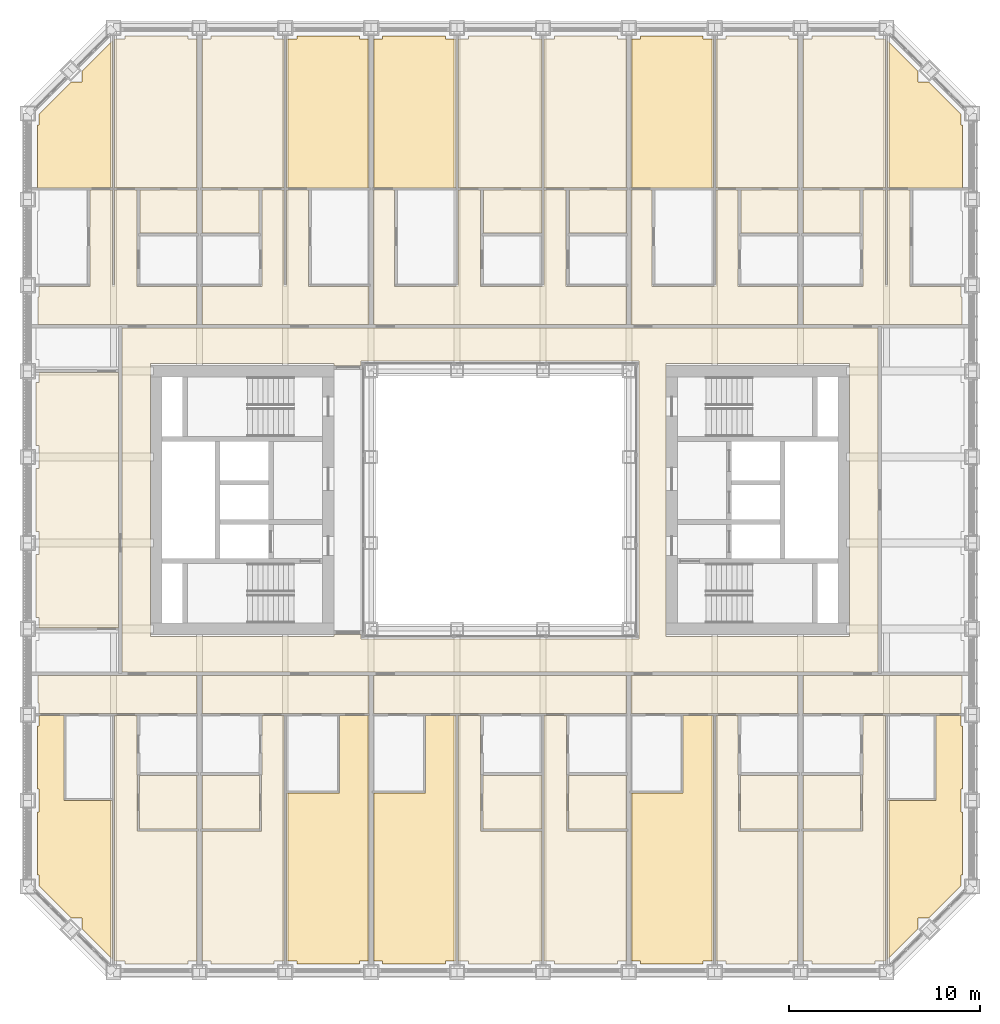
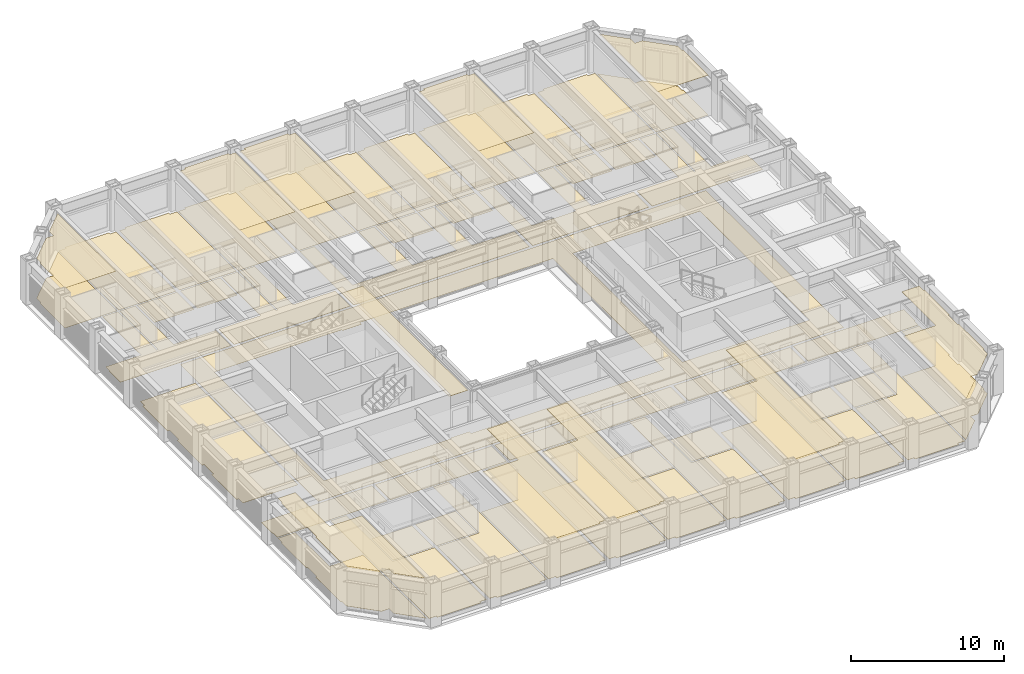
# One storey, part 19 of 21: 3 coverings.
"""IFC4 building model written with IfcOpenShell, lengths in metres."""

import ifcopenshell
import ifcopenshell.guid

model = None  # the IFC model being written
_history = None  # IfcOwnerHistory: only IFC2X3 demands one
_inside = {}  # id of a spatial element -> (the spatial element, [elements in it])
_under = {}  # id of a project, library or spatial element -> (it, [spatial elements below it])
_declared = {}  # id of a project -> (the project, [libraries it declares])
_typed = {}  # id of a type object -> (the type object, [elements of that type])
_made_of = {}  # id of a material, layer set ... -> (it, [elements and type objects made of it])


def new_model(schema):
    """Start an empty IFC model of exactly this schema.

    Asked for "IFC4X3", IfcOpenShell would pick the latest addendum, in which some entities
    have other attributes; the version numbers below select the first issue.
    IFC2X3 requires an IfcOwnerHistory on every rooted entity: one is made here for all.
    """
    global model, _history
    if schema == "IFC4X3":
        model = ifcopenshell.file(schema_version=(4, 3, 0, 0))
    else:
        model = ifcopenshell.file(schema=schema)
    _inside.clear()
    _under.clear()
    _declared.clear()
    _typed.clear()
    _made_of.clear()
    _history = None
    if model.schema == "IFC2X3":
        org = make("IfcOrganization", Name="unknown")
        user = make(
            "IfcPersonAndOrganization",
            ThePerson=make("IfcPerson", FamilyName="unknown"),
            TheOrganization=org,
        )
        app = make(
            "IfcApplication",
            ApplicationDeveloper=org,
            Version="unknown",
            ApplicationFullName="unknown",
            ApplicationIdentifier="unknown",
        )
        _history = make(
            "IfcOwnerHistory",
            OwningUser=user,
            OwningApplication=app,
            ChangeAction="ADDED",
            CreationDate=0,
        )
    return model


def make(cls, **values):
    """One entity of the class cls with the attributes given. An attribute that is None is left unset."""
    return model.create_entity(
        cls, **{name: value for name, value in values.items() if value is not None}
    )


def rooted(cls, **values):
    """An entity with a GlobalId (a new one), such as an element, a storey or a relation."""
    return make(cls, GlobalId=ifcopenshell.guid.new(), OwnerHistory=_history, **values)


def si_unit(unit_type, name, prefix=None):
    """IfcSIUnit, for example si_unit("LENGTHUNIT", "METRE", prefix="MILLI")."""
    return make("IfcSIUnit", UnitType=unit_type, Prefix=prefix, Name=name)


def assignment(units):
    """IfcUnitAssignment: the units of a project."""
    return None if units is None else make("IfcUnitAssignment", Units=units)


def point(xyz):
    """IfcCartesianPoint."""
    return None if xyz is None else make("IfcCartesianPoint", Coordinates=xyz)


def direction(xyz):
    """IfcDirection."""
    return None if xyz is None else make("IfcDirection", DirectionRatios=xyz)


def frame(location, z_axis=None, x_axis=None):
    """IfcAxis2Placement3D, a coordinate frame: its origin and axes. An axis left out is left unset."""
    return make(
        "IfcAxis2Placement3D",
        Location=point(location),
        Axis=direction(z_axis),
        RefDirection=direction(x_axis),
    )


def origin():
    """The frame at (0, 0, 0) with its axes left unset."""
    return frame((0.0, 0.0, 0.0))


def place(relative_to, where):
    """IfcLocalPlacement: puts the frame where relative to a parent placement (None: the world)."""
    return make(
        "IfcLocalPlacement", PlacementRelTo=relative_to, RelativePlacement=where
    )


def context(
    kind, dimensions, precision=None, world=None, true_north=None, identifier=None
):
    """IfcGeometricRepresentationContext, for example the 3D "Model" context."""
    return make(
        "IfcGeometricRepresentationContext",
        ContextIdentifier=identifier,
        ContextType=kind,
        CoordinateSpaceDimension=dimensions,
        Precision=precision,
        WorldCoordinateSystem=world,
        TrueNorth=true_north,
    )


def subcontext(parent, identifier, kind, view, scale=None):
    """IfcGeometricRepresentationSubContext, for example "Body" below "Model"."""
    return make(
        "IfcGeometricRepresentationSubContext",
        ContextIdentifier=identifier,
        ContextType=kind,
        ParentContext=parent,
        TargetScale=scale,
        TargetView=view,
    )


def project(units=None, contexts=None):
    """IfcProject with its units and contexts."""
    return rooted(
        "IfcProject",
        Name="project",
        RepresentationContexts=contexts,
        UnitsInContext=assignment(units),
    )


def spatial(cls, under=None, at=None, **own):
    """A site, building, storey or space (cls), placed at a placement, below another one or the project."""
    s = rooted(cls, ObjectPlacement=at, **own)
    if under is not None:
        _under.setdefault(under.id(), (under, []))[1].append(s)
    return s


def point_list(points):
    """IfcCartesianPointList2D or 3D."""
    cls = (
        "IfcCartesianPointList2D" if len(points[0]) == 2 else "IfcCartesianPointList3D"
    )
    return make(cls, CoordList=points)


def line(*indices):
    """IfcLineIndex: a straight run through numbered points of an indexed curve."""
    return model.create_entity("IfcLineIndex", indices)


def indexed_curve(points, segments=None, self_intersect=None):
    """IfcIndexedPolyCurve: lines and arcs through numbered points (the first is 1)."""
    return make(
        "IfcIndexedPolyCurve",
        Points=point_list(points),
        Segments=segments,
        SelfIntersect=self_intersect,
    )


def outline(outer, holes=None, kind="AREA"):
    """IfcArbitraryClosedProfileDef: a profile drawn as a closed curve; with holes, ...WithVoids."""
    if holes is None:
        return make("IfcArbitraryClosedProfileDef", ProfileType=kind, OuterCurve=outer)
    return make(
        "IfcArbitraryProfileDefWithVoids",
        ProfileType=kind,
        OuterCurve=outer,
        InnerCurves=holes,
    )


def extrude(swept, where, along, depth):
    """IfcExtrudedAreaSolid: the profile swept, set in the frame where, extruded along a direction by depth."""
    return make(
        "IfcExtrudedAreaSolid",
        SweptArea=swept,
        Position=where,
        ExtrudedDirection=direction(along),
        Depth=depth,
    )


def shape(context_of_items, identifier, shape_type, items):
    """IfcShapeRepresentation: the items that make up one representation, for example the "Body"."""
    return make(
        "IfcShapeRepresentation",
        ContextOfItems=context_of_items,
        RepresentationIdentifier=identifier,
        RepresentationType=shape_type,
        Items=items,
    )


def material(Name=None, Category=None):
    """IfcMaterial."""
    return make("IfcMaterial", Name=Name, Category=Category)


def layer(
    of_material, thickness, ventilated=None, Name=None, Category=None, Priority=None
):
    """IfcMaterialLayer: one layer of a wall or slab, of a material (None: an air gap)."""
    return make(
        "IfcMaterialLayer",
        Material=of_material,
        LayerThickness=thickness,
        IsVentilated=ventilated,
        Name=Name,
        Category=Category,
        Priority=Priority,
    )


def layer_set(layers, Name=None):
    """IfcMaterialLayerSet."""
    return make("IfcMaterialLayerSet", MaterialLayers=layers, LayerSetName=Name)


def made_of(thing, what):
    """Note that an element or type object is made of a material, layer set ...; save() writes the relation."""
    if what is not None:
        _made_of.setdefault(what.id(), (what, []))[1].append(thing)
    return thing


def type_object(cls, material=None, **own):
    """A type object (cls), such as IfcWallType, which elements share."""
    return made_of(rooted(cls, **own), material)


def element(
    cls,
    number,
    at=None,
    inside=None,
    cuts=None,
    type_object=None,
    material=None,
    context=None,
    identifier="Body",
    shape_type=None,
    held_by="IfcProductDefinitionShape",
    body=None,
    shapes=None,
    **own,
):
    """One element of the class cls, such as IfcWall. Its Tag is "e" and its number.

    at: its placement. inside: the storey or other place that contains it. cuts: it is an
    opening in that element (IfcRelVoidsElement). A single representation is given by context,
    identifier, shape_type and body (its items); several are given by shapes. held_by: the class
    of the entity that holds the representations. save() writes the other relations.
    """
    e = rooted(cls, Tag="e%d" % number, ObjectPlacement=at, **own)
    if body is not None:
        shapes = [shape(context, identifier, shape_type, body)]
    if shapes is not None:
        e.Representation = make(held_by, Representations=shapes)
    if inside is not None:
        _inside.setdefault(inside.id(), (inside, []))[1].append(e)
    if cuts is not None:
        rooted(
            "IfcRelVoidsElement", RelatingBuildingElement=cuts, RelatedOpeningElement=e
        )
    if type_object is not None:
        _typed.setdefault(type_object.id(), (type_object, []))[1].append(e)
    return made_of(e, material)


def aggregate(whole, parts):
    """IfcRelAggregates: a whole, such as a stair, and the parts it consists of."""
    return rooted("IfcRelAggregates", RelatingObject=whole, RelatedObjects=parts)


def save(model, path):
    """Write the relations noted so far, then the file.

    IfcRelAggregates (storeys below a building ...), IfcRelContainedInSpatialStructure (elements
    in a storey), IfcRelDefinesByType, IfcRelAssociatesMaterial and IfcRelDeclares: one each for
    every whole, place, type object, material and project.
    """
    for whole, parts in _under.values():
        aggregate(whole, parts)
    for where, things in _inside.values():
        rooted(
            "IfcRelContainedInSpatialStructure",
            RelatedElements=things,
            RelatingStructure=where,
        )
    for kind, things in _typed.values():
        rooted("IfcRelDefinesByType", RelatedObjects=things, RelatingType=kind)
    for what, things in _made_of.values():
        rooted("IfcRelAssociatesMaterial", RelatedObjects=things, RelatingMaterial=what)
    for by, libraries in _declared.values():
        rooted("IfcRelDeclares", RelatingContext=by, RelatedDefinitions=libraries)
    model.write(path)


model = new_model("IFC4")

# Units and contexts
model_context = context("Model", 3, precision=1e-05, world=origin(), true_north=direction((0.0, 1.0)))
body_context = subcontext(model_context, "Body", "Model", "MODEL_VIEW")
ifc_project = project(units=[si_unit("LENGTHUNIT", "METRE"), si_unit("AREAUNIT", "SQUARE_METRE"), si_unit("VOLUMEUNIT", "CUBIC_METRE"), si_unit("PLANEANGLEUNIT", "RADIAN"), si_unit("MASSUNIT", "GRAM", prefix="KILO")], contexts=[model_context])

# Site, building, storey
site_placement = place(None, origin())
site = spatial("IfcSite", under=ifc_project, at=site_placement, CompositionType="ELEMENT")
building_placement = place(site_placement, origin())
building = spatial("IfcBuilding", under=site, at=building_placement, Name="Msasa Ring Tower", CompositionType="ELEMENT")
storey_placement = place(building_placement, frame((0.0, 0.0, 54.5)))
storey = spatial("IfcBuildingStorey", under=building, at=storey_placement, Name="L13", CompositionType="ELEMENT", Elevation=54.5)

# Coverings
ifc_material_1 = material(Name="Gypsum plasterboard on a steel suspension grid", Category="steel")
ifc_layer_1 = layer(ifc_material_1, 0.014892578125)
ifc_layer_set_1 = layer_set([ifc_layer_1], Name="C1 SUSPENDED PLASTERBOARD CEILING 15")
covering_type_1 = type_object("IfcCoveringType", Name="C1 SUSPENDED PLASTERBOARD CEILING 15", PredefinedType="CEILING", material=ifc_layer_set_1)
covering_1_placement = place(storey_placement, frame((0.0, 0.0, 3.175048828125)))
element("IfcCovering", 1, at=covering_1_placement, inside=storey, type_object=covering_type_1, Name="Suspended Plasterboard Ceiling 15 public rooms L13", PredefinedType="CEILING", context=body_context, shape_type="SweptSolid", body=[
    extrude(outline(indexed_curve([(-21.8994140625, -22.46337890625), (-21.8994140625, -21.8994140625), (-22.46337890625, -21.8994140625), (-24.1494140625, -20.21337890625), (-24.1494140625, -19.6494140625), (-24.239501953125, -19.6494140625), (-24.239501953125, -16.3505859375), (-24.1494140625, -16.3505859375), (-24.1494140625, -15.1494140625), (-24.239501953125, -15.1494140625), (-24.239501953125, -11.8505859375), (-24.1494140625, -11.8505859375), (-24.1494140625, -11.300537109375), (-22.8505859375, -11.300537109375), (-22.8505859375, -15.74267578125), (-20.404296875, -15.74267578125), (-20.404296875, -23.95849609375)], segments=[line(1, 2, 3, 4, 5, 6, 7, 8, 9, 10, 11, 12, 13, 14, 15, 16, 17, 1)], self_intersect=False)), origin(), (0.0, 0.0, 1.0), 0.014892578125),
    extrude(outline(indexed_curve([(-24.239501953125, 16.35546875), (-24.239501953125, 19.6494140625), (-24.1494140625, 19.6494140625), (-24.1494140625, 20.21337890625), (-22.46337890625, 21.8994140625), (-21.8994140625, 21.8994140625), (-21.8994140625, 22.46337890625), (-20.404296875, 23.95849609375), (-20.404296875, 16.35546875)], segments=[line(1, 2, 3, 4, 5, 6, 7, 8, 9, 1)], self_intersect=False)), origin(), (0.0, 0.0, 1.0), 0.014892578125),
    extrude(outline(indexed_curve([(-8.3994140625, -11.300537109375), (-6.904296875, -11.300537109375), (-6.904296875, -24.1494140625), (-7.3505859375, -24.1494140625), (-7.3505859375, -24.299560546875), (-10.6494140625, -24.299560546875), (-10.6494140625, -24.1494140625), (-11.095703125, -24.1494140625), (-11.095703125, -15.3505859375), (-8.3994140625, -15.3505859375)], segments=[line(1, 2, 3, 4, 5, 6, 7, 8, 9, 10, 1)], self_intersect=False)), origin(), (0.0, 0.0, 1.0), 0.014892578125),
    extrude(outline(indexed_curve([(-11.095703125, 16.35546875), (-11.095703125, 24.1494140625), (-10.6494140625, 24.1494140625), (-10.6494140625, 24.299560546875), (-7.3505859375, 24.299560546875), (-7.3505859375, 24.1494140625), (-6.904296875, 24.1494140625), (-6.904296875, 16.35546875)], segments=[line(1, 2, 3, 4, 5, 6, 7, 8, 1)], self_intersect=False)), origin(), (0.0, 0.0, 1.0), 0.014892578125),
    extrude(outline(indexed_curve([(-8.699462890625, -6.849609375), (-8.699462890625, 6.849609375), (-7.280029296875, 6.849609375), (-7.280029296875, -6.849609375)], segments=[line(1, 2, 3, 4, 1)], self_intersect=False)), origin(), (0.0, 0.0, 1.0), 0.014892578125),
    extrude(outline(indexed_curve([(-2.404296875, -11.300537109375), (-2.404296875, -24.1494140625), (-2.8505859375, -24.1494140625), (-2.8505859375, -24.299560546875), (-6.1494140625, -24.299560546875), (-6.1494140625, -24.1494140625), (-6.595703125, -24.1494140625), (-6.595703125, -15.3505859375), (-3.8994140625, -15.3505859375), (-3.8994140625, -11.300537109375)], segments=[line(1, 2, 3, 4, 5, 6, 7, 8, 9, 10, 1)], self_intersect=False)), origin(), (0.0, 0.0, 1.0), 0.014892578125),
    extrude(outline(indexed_curve([(-6.595703125, 16.35546875), (-6.595703125, 24.1494140625), (-6.1494140625, 24.1494140625), (-6.1494140625, 24.299560546875), (-2.8505859375, 24.299560546875), (-2.8505859375, 24.1494140625), (-2.404296875, 24.1494140625), (-2.404296875, 16.35546875)], segments=[line(1, 2, 3, 4, 5, 6, 7, 8, 1)], self_intersect=False)), origin(), (0.0, 0.0, 1.0), 0.014892578125),
    extrude(outline(indexed_curve([(11.095703125, -11.300537109375), (11.095703125, -24.1494140625), (10.6494140625, -24.1494140625), (10.6494140625, -24.299560546875), (7.3505859375, -24.299560546875), (7.3505859375, -24.1494140625), (6.904296875, -24.1494140625), (6.904296875, -15.3505859375), (9.6005859375, -15.3505859375), (9.6005859375, -11.300537109375)], segments=[line(1, 2, 3, 4, 5, 6, 7, 8, 9, 10, 1)], self_intersect=False)), origin(), (0.0, 0.0, 1.0), 0.014892578125),
    extrude(outline(indexed_curve([(6.904296875, 16.35546875), (6.904296875, 24.1494140625), (7.3505859375, 24.1494140625), (7.3505859375, 24.299560546875), (10.6494140625, 24.299560546875), (10.6494140625, 24.1494140625), (11.095703125, 24.1494140625), (11.095703125, 16.35546875)], segments=[line(1, 2, 3, 4, 5, 6, 7, 8, 1)], self_intersect=False)), origin(), (0.0, 0.0, 1.0), 0.014892578125),
    extrude(outline(indexed_curve([(22.8505859375, -11.300537109375), (24.1494140625, -11.300537109375), (24.1494140625, -11.8505859375), (24.239501953125, -11.8505859375), (24.239501953125, -15.1494140625), (24.1494140625, -15.1494140625), (24.1494140625, -16.3505859375), (24.239501953125, -16.3505859375), (24.239501953125, -19.6494140625), (24.1494140625, -19.6494140625), (24.1494140625, -20.21337890625), (22.46337890625, -21.8994140625), (21.8994140625, -21.8994140625), (21.8994140625, -22.46337890625), (20.404296875, -23.95849609375), (20.404296875, -15.74267578125), (22.8505859375, -15.74267578125)], segments=[line(1, 2, 3, 4, 5, 6, 7, 8, 9, 10, 11, 12, 13, 14, 15, 16, 17, 1)], self_intersect=False)), origin(), (0.0, 0.0, 1.0), 0.014892578125),
    extrude(outline(indexed_curve([(20.404296875, 16.35546875), (20.404296875, 23.95849609375), (21.8994140625, 22.46337890625), (21.8994140625, 21.8994140625), (22.46337890625, 21.8994140625), (24.1494140625, 20.21337890625), (24.1494140625, 19.6494140625), (24.239501953125, 19.6494140625), (24.239501953125, 16.35546875)], segments=[line(1, 2, 3, 4, 5, 6, 7, 8, 9, 1)], self_intersect=False)), origin(), (0.0, 0.0, 1.0), 0.014892578125),
])
ifc_material_2 = material(Name="Wool-blend carpet on felt underlay", Category="textile")
ifc_layer_2 = layer(ifc_material_2, 0.011962890625)
ifc_layer_set_2 = layer_set([ifc_layer_2], Name="F2 CARPET ON UNDERLAY 12")
covering_type_2 = type_object("IfcCoveringType", Name="F2 CARPET ON UNDERLAY 12", PredefinedType="FLOORING", material=ifc_layer_set_2)
covering_2_placement = place(storey_placement, origin())
element("IfcCovering", 2, at=covering_2_placement, inside=storey, type_object=covering_type_2, Name="Carpet On Underlay 12 L13", PredefinedType="FLOORING", context=body_context, shape_type="SweptSolid", body=[
    extrude(outline(indexed_curve([(-24.239501953125, -16.3505859375), (-24.1494140625, -16.3505859375), (-24.1494140625, -15.1494140625), (-24.239501953125, -15.1494140625), (-24.239501953125, -11.8505859375), (-24.1494140625, -11.8505859375), (-24.1494140625, -11.300537109375), (-22.8505859375, -11.300537109375), (-22.8505859375, -15.74267578125), (-20.310546875, -15.74267578125), (-20.310546875, -24.052490234375), (-21.8994140625, -22.46337890625), (-21.8994140625, -21.8994140625), (-22.46337890625, -21.8994140625), (-24.1494140625, -20.21337890625), (-24.1494140625, -19.6494140625), (-24.239501953125, -19.6494140625)], segments=[line(1, 2, 3, 4, 5, 6, 7, 8, 9, 10, 11, 12, 13, 14, 15, 16, 17, 1)], self_intersect=False)), origin(), (0.0, 0.0, 1.0), 0.011962890625),
    extrude(outline(indexed_curve([(-22.46337890625, 21.8994140625), (-21.8994140625, 21.8994140625), (-21.8994140625, 22.46337890625), (-20.310546875, 24.052490234375), (-20.310546875, 16.35546875), (-24.239501953125, 16.35546875), (-24.239501953125, 19.6494140625), (-24.1494140625, 19.6494140625), (-24.1494140625, 20.21337890625)], segments=[line(1, 2, 3, 4, 5, 6, 7, 8, 9, 1)], self_intersect=False)), origin(), (0.0, 0.0, 1.0), 0.011962890625),
    extrude(outline(indexed_curve([(-19.799560546875, -8.99951171875), (-19.799560546875, 8.99951171875), (19.799560546875, 8.99951171875), (19.799560546875, -8.99951171875)], segments=[line(1, 2, 3, 4, 1)], self_intersect=False), holes=[indexed_curve([(18.300537109375, -7.150390625), (18.300537109375, 7.150390625), (8.699462890625, 7.150390625), (8.699462890625, -7.150390625)], segments=[line(1, 2, 3, 4, 1)], self_intersect=False), indexed_curve([(-8.699462890625, 7.150390625), (-18.300537109375, 7.150390625), (-18.300537109375, -7.150390625), (-8.699462890625, -7.150390625), (-8.699462890625, -7.050537109375), (-7.280029296875, -7.050537109375), (-7.275390625, -7.275390625), (-7.22998046875, -7.280029296875), (7.275390625, -7.275390625), (7.275390625, 7.275390625), (-7.22998046875, 7.280029296875), (-7.275390625, 7.275390625), (-7.280029296875, 7.050537109375), (-8.699462890625, 7.050537109375)], segments=[line(1, 2, 3, 4, 5, 6, 7, 8, 9, 10, 11, 12, 13, 14, 1)], self_intersect=False)]), origin(), (0.0, 0.0, 1.0), 0.011962890625),
    extrude(outline(indexed_curve([(-15.87548828125, -14.430419921875), (-15.87548828125, -17.2353515625), (-18.8994140625, -17.2353515625), (-18.8994140625, -14.430419921875)], segments=[line(1, 2, 3, 4, 1)], self_intersect=False)), origin(), (0.0, 0.0, 1.0), 0.011962890625),
    extrude(outline(indexed_curve([(-18.869384765625, 13.98046875), (-18.869384765625, 16.244384765625), (-15.87548828125, 16.244384765625), (-15.87548828125, 13.98046875)], segments=[line(1, 2, 3, 4, 1)], self_intersect=False)), origin(), (0.0, 0.0, 1.0), 0.011962890625),
    extrude(outline(indexed_curve([(-12.6005859375, -17.238037109375), (-15.62451171875, -17.238037109375), (-15.62451171875, -14.430419921875), (-12.6005859375, -14.430419921875)], segments=[line(1, 2, 3, 4, 1)], self_intersect=False)), origin(), (0.0, 0.0, 1.0), 0.011962890625),
    extrude(outline(indexed_curve([(-12.630615234375, 16.244384765625), (-12.630615234375, 13.98046875), (-15.62451171875, 13.98046875), (-15.62451171875, 16.244384765625)], segments=[line(1, 2, 3, 4, 1)], self_intersect=False)), origin(), (0.0, 0.0, 1.0), 0.011962890625),
    extrude(outline(indexed_curve([(-10.6494140625, -24.299560546875), (-10.6494140625, -24.1494140625), (-11.189453125, -24.1494140625), (-11.189453125, -15.3505859375), (-8.3994140625, -15.3505859375), (-8.3994140625, -11.300537109375), (-6.87548828125, -11.300537109375), (-6.87548828125, -24.1494140625), (-7.3505859375, -24.1494140625), (-7.3505859375, -24.299560546875)], segments=[line(1, 2, 3, 4, 5, 6, 7, 8, 9, 10, 1)], self_intersect=False)), origin(), (0.0, 0.0, 1.0), 0.011962890625),
    extrude(outline(indexed_curve([(-7.3505859375, 24.299560546875), (-7.3505859375, 24.1494140625), (-6.87548828125, 24.1494140625), (-6.87548828125, 16.35546875), (-11.189453125, 16.35546875), (-11.189453125, 24.1494140625), (-10.6494140625, 24.1494140625), (-10.6494140625, 24.299560546875)], segments=[line(1, 2, 3, 4, 5, 6, 7, 8, 1)], self_intersect=False)), origin(), (0.0, 0.0, 1.0), 0.011962890625),
    extrude(outline(indexed_curve([(-2.310546875, -24.1494140625), (-2.8505859375, -24.1494140625), (-2.8505859375, -24.299560546875), (-6.1494140625, -24.299560546875), (-6.1494140625, -24.1494140625), (-6.62451171875, -24.1494140625), (-6.62451171875, -15.3505859375), (-3.8994140625, -15.3505859375), (-3.8994140625, -11.300537109375), (-2.310546875, -11.300537109375)], segments=[line(1, 2, 3, 4, 5, 6, 7, 8, 9, 10, 1)], self_intersect=False)), origin(), (0.0, 0.0, 1.0), 0.011962890625),
    extrude(outline(indexed_curve([(-2.8505859375, 24.299560546875), (-2.8505859375, 24.1494140625), (-2.310546875, 24.1494140625), (-2.310546875, 16.35546875), (-6.62451171875, 16.35546875), (-6.62451171875, 24.1494140625), (-6.1494140625, 24.1494140625), (-6.1494140625, 24.299560546875)], segments=[line(1, 2, 3, 4, 5, 6, 7, 8, 1)], self_intersect=False)), origin(), (0.0, 0.0, 1.0), 0.011962890625),
    extrude(outline(indexed_curve([(2.189453125, -17.238037109375), (-0.8994140625, -17.238037109375), (-0.8994140625, -14.430419921875), (2.189453125, -14.430419921875)], segments=[line(1, 2, 3, 4, 1)], self_intersect=False)), origin(), (0.0, 0.0, 1.0), 0.011962890625),
    extrude(outline(indexed_curve([(2.189453125, 16.244384765625), (2.189453125, 13.98046875), (-0.869384765625, 13.98046875), (-0.869384765625, 16.244384765625)], segments=[line(1, 2, 3, 4, 1)], self_intersect=False)), origin(), (0.0, 0.0, 1.0), 0.011962890625),
    extrude(outline(indexed_curve([(6.62451171875, -14.430419921875), (6.62451171875, -17.238037109375), (3.6005859375, -17.238037109375), (3.6005859375, -14.430419921875)], segments=[line(1, 2, 3, 4, 1)], self_intersect=False)), origin(), (0.0, 0.0, 1.0), 0.011962890625),
    extrude(outline(indexed_curve([(3.630615234375, 13.98046875), (3.630615234375, 16.244384765625), (6.62451171875, 16.244384765625), (6.62451171875, 13.98046875)], segments=[line(1, 2, 3, 4, 1)], self_intersect=False)), origin(), (0.0, 0.0, 1.0), 0.011962890625),
    extrude(outline(indexed_curve([(7.3505859375, -24.299560546875), (7.3505859375, -24.1494140625), (6.87548828125, -24.1494140625), (6.87548828125, -15.3505859375), (9.6005859375, -15.3505859375), (9.6005859375, -11.300537109375), (11.189453125, -11.300537109375), (11.189453125, -24.1494140625), (10.6494140625, -24.1494140625), (10.6494140625, -24.299560546875)], segments=[line(1, 2, 3, 4, 5, 6, 7, 8, 9, 10, 1)], self_intersect=False)), origin(), (0.0, 0.0, 1.0), 0.011962890625),
    extrude(outline(indexed_curve([(10.6494140625, 24.299560546875), (10.6494140625, 24.1494140625), (11.189453125, 24.1494140625), (11.189453125, 16.35546875), (6.87548828125, 16.35546875), (6.87548828125, 24.1494140625), (7.3505859375, 24.1494140625), (7.3505859375, 24.299560546875)], segments=[line(1, 2, 3, 4, 5, 6, 7, 8, 1)], self_intersect=False)), origin(), (0.0, 0.0, 1.0), 0.011962890625),
    extrude(outline(indexed_curve([(12.6005859375, -17.238037109375), (12.6005859375, -14.430419921875), (15.62451171875, -14.430419921875), (15.62451171875, -17.238037109375)], segments=[line(1, 2, 3, 4, 1)], self_intersect=False)), origin(), (0.0, 0.0, 1.0), 0.011962890625),
    extrude(outline(indexed_curve([(12.630615234375, 13.98046875), (12.630615234375, 16.244384765625), (15.62451171875, 16.244384765625), (15.62451171875, 13.98046875)], segments=[line(1, 2, 3, 4, 1)], self_intersect=False)), origin(), (0.0, 0.0, 1.0), 0.011962890625),
    extrude(outline(indexed_curve([(18.8994140625, -17.2353515625), (15.87548828125, -17.2353515625), (15.87548828125, -14.430419921875), (18.8994140625, -14.430419921875)], segments=[line(1, 2, 3, 4, 1)], self_intersect=False)), origin(), (0.0, 0.0, 1.0), 0.011962890625),
    extrude(outline(indexed_curve([(18.869384765625, 16.244384765625), (18.869384765625, 13.98046875), (15.87548828125, 13.98046875), (15.87548828125, 16.244384765625)], segments=[line(1, 2, 3, 4, 1)], self_intersect=False)), origin(), (0.0, 0.0, 1.0), 0.011962890625),
    extrude(outline(indexed_curve([(22.46337890625, -21.8994140625), (21.8994140625, -21.8994140625), (21.8994140625, -22.46337890625), (20.310546875, -24.052490234375), (20.310546875, -15.74267578125), (22.8505859375, -15.74267578125), (22.8505859375, -11.300537109375), (24.1494140625, -11.300537109375), (24.1494140625, -11.8505859375), (24.239501953125, -11.8505859375), (24.239501953125, -15.1494140625), (24.1494140625, -15.1494140625), (24.1494140625, -16.3505859375), (24.239501953125, -16.3505859375), (24.239501953125, -19.6494140625), (24.1494140625, -19.6494140625), (24.1494140625, -20.21337890625)], segments=[line(1, 2, 3, 4, 5, 6, 7, 8, 9, 10, 11, 12, 13, 14, 15, 16, 17, 1)], self_intersect=False)), origin(), (0.0, 0.0, 1.0), 0.011962890625),
    extrude(outline(indexed_curve([(21.8994140625, 22.46337890625), (21.8994140625, 21.8994140625), (22.46337890625, 21.8994140625), (24.1494140625, 20.21337890625), (24.1494140625, 19.6494140625), (24.239501953125, 19.6494140625), (24.239501953125, 16.35546875), (20.310546875, 16.35546875), (20.310546875, 24.052490234375)], segments=[line(1, 2, 3, 4, 5, 6, 7, 8, 9, 1)], self_intersect=False)), origin(), (0.0, 0.0, 1.0), 0.011962890625),
])
ifc_material_3 = material(Name="Engineered oak boards on an acoustic underlay", Category="wood")
ifc_layer_3 = layer(ifc_material_3, 0.01806640625)
ifc_layer_set_3 = layer_set([ifc_layer_3], Name="F3 ENGINEERED TIMBER ON ACOUSTIC UNDERLAY 18")
covering_type_3 = type_object("IfcCoveringType", Name="F3 ENGINEERED TIMBER ON ACOUSTIC UNDERLAY 18", PredefinedType="FLOORING", material=ifc_layer_set_3)
covering_3_placement = place(storey_placement, origin())
element("IfcCovering", 3, at=covering_3_placement, inside=storey, type_object=covering_type_3, Name="Engineered Timber On Acoustic Underlay 18 L13", PredefinedType="FLOORING", context=body_context, shape_type="SweptSolid", body=[
    extrude(outline(indexed_curve([(-24.1494140625, -6.694580078125), (-24.1494140625, -6.1494140625), (-24.299560546875, -6.1494140625), (-24.299560546875, -2.8505859375), (-24.1494140625, -2.8505859375), (-24.1494140625, -1.6494140625), (-24.299560546875, -1.6494140625), (-24.299560546875, 1.6494140625), (-24.1494140625, 1.6494140625), (-24.1494140625, 2.8505859375), (-24.299560546875, 2.8505859375), (-24.299560546875, 6.1494140625), (-24.1494140625, 6.1494140625), (-24.1494140625, 6.66943359375), (-20.00048828125, 6.66943359375), (-20.00048828125, -6.694580078125)], segments=[line(1, 2, 3, 4, 5, 6, 7, 8, 9, 10, 11, 12, 13, 14, 15, 16, 1)], self_intersect=False)), origin(), (0.0, 0.0, 1.0), 0.01806640625),
    extrude(outline(indexed_curve([(-15.87548828125, -9.200439453125), (-15.87548828125, -11.199462890625), (-24.1494140625, -11.199462890625), (-24.1494140625, -10.6494140625), (-24.199462890625, -10.6494140625), (-24.199462890625, -9.200439453125)], segments=[line(1, 2, 3, 4, 5, 6, 1)], self_intersect=False)), origin(), (0.0, 0.0, 1.0), 0.01806640625),
    extrude(outline(indexed_curve([(-20.189453125, 16.244384765625), (-19.030517578125, 16.244384765625), (-19.030517578125, 11.199462890625), (-15.87548828125, 11.199462890625), (-15.87548828125, 9.200439453125), (-24.199462890625, 9.200439453125), (-24.199462890625, 10.6494140625), (-24.1494140625, 10.6494140625), (-24.1494140625, 11.199462890625), (-21.469482421875, 11.199462890625), (-21.469482421875, 16.244384765625), (-20.310546875, 16.244384765625), (-20.310546875, 11.199462890625), (-20.189453125, 11.199462890625)], segments=[line(1, 2, 3, 4, 5, 6, 7, 8, 9, 10, 11, 12, 13, 14, 1)], self_intersect=False)), origin(), (0.0, 0.0, 1.0), 0.01806640625),
    extrude(outline(indexed_curve([(-20.189453125, -11.300537109375), (-19.025390625, -11.300537109375), (-19.025390625, -14.39990234375), (-19.00048828125, -14.39990234375), (-19.00048828125, -17.34130859375), (-15.87548828125, -17.34130859375), (-15.87548828125, -24.1494140625), (-16.3505859375, -24.1494140625), (-16.3505859375, -24.299560546875), (-19.6494140625, -24.299560546875), (-19.6494140625, -24.1494140625), (-20.189453125, -24.1494140625)], segments=[line(1, 2, 3, 4, 5, 6, 7, 8, 9, 10, 11, 12, 1)], self_intersect=False)), origin(), (0.0, 0.0, 1.0), 0.01806640625),
    extrude(outline(indexed_curve([(-20.189453125, 24.1494140625), (-19.6494140625, 24.1494140625), (-19.6494140625, 24.299560546875), (-16.3505859375, 24.299560546875), (-16.3505859375, 24.1494140625), (-15.87548828125, 24.1494140625), (-15.87548828125, 16.35546875), (-20.189453125, 16.35546875)], segments=[line(1, 2, 3, 4, 5, 6, 7, 8, 1)], self_intersect=False)), origin(), (0.0, 0.0, 1.0), 0.01806640625),
    extrude(outline(indexed_curve([(-11.310546875, -24.1494140625), (-11.8505859375, -24.1494140625), (-11.8505859375, -24.299560546875), (-15.1494140625, -24.299560546875), (-15.1494140625, -24.1494140625), (-15.62451171875, -24.1494140625), (-15.62451171875, -17.343994140625), (-12.49951171875, -17.343994140625), (-12.49951171875, -14.39990234375), (-12.474609375, -14.39990234375), (-12.474609375, -11.300537109375), (-11.310546875, -11.300537109375)], segments=[line(1, 2, 3, 4, 5, 6, 7, 8, 9, 10, 11, 12, 1)], self_intersect=False)), origin(), (0.0, 0.0, 1.0), 0.01806640625),
    extrude(outline(indexed_curve([(-15.62451171875, -11.199462890625), (-15.62451171875, -9.200439453125), (-6.87548828125, -9.200439453125), (-6.87548828125, -11.199462890625)], segments=[line(1, 2, 3, 4, 1)], self_intersect=False)), origin(), (0.0, 0.0, 1.0), 0.01806640625),
    extrude(outline(indexed_curve([(-11.189453125, 16.244384765625), (-10.030517578125, 16.244384765625), (-10.030517578125, 11.199462890625), (-6.87548828125, 11.199462890625), (-6.87548828125, 9.200439453125), (-15.62451171875, 9.200439453125), (-15.62451171875, 11.199462890625), (-12.469482421875, 11.199462890625), (-12.469482421875, 16.244384765625), (-11.310546875, 16.244384765625), (-11.310546875, 11.199462890625), (-11.189453125, 11.199462890625)], segments=[line(1, 2, 3, 4, 5, 6, 7, 8, 9, 10, 11, 12, 1)], self_intersect=False)), origin(), (0.0, 0.0, 1.0), 0.01806640625),
    extrude(outline(indexed_curve([(-11.8505859375, 24.299560546875), (-11.8505859375, 24.1494140625), (-11.310546875, 24.1494140625), (-11.310546875, 16.35546875), (-15.62451171875, 16.35546875), (-15.62451171875, 24.1494140625), (-15.1494140625, 24.1494140625), (-15.1494140625, 24.299560546875)], segments=[line(1, 2, 3, 4, 5, 6, 7, 8, 1)], self_intersect=False)), origin(), (0.0, 0.0, 1.0), 0.01806640625),
    extrude(outline(indexed_curve([(-6.62451171875, -11.199462890625), (-6.62451171875, -9.200439453125), (6.62451171875, -9.200439453125), (6.62451171875, -11.199462890625)], segments=[line(1, 2, 3, 4, 1)], self_intersect=False)), origin(), (0.0, 0.0, 1.0), 0.01806640625),
    extrude(outline(indexed_curve([(-2.189453125, 16.244384765625), (-1.030517578125, 16.244384765625), (-1.030517578125, 11.199462890625), (2.310546875, 11.199462890625), (2.310546875, 16.244384765625), (3.469482421875, 16.244384765625), (3.469482421875, 11.199462890625), (6.62451171875, 11.199462890625), (6.62451171875, 9.200439453125), (-6.62451171875, 9.200439453125), (-6.62451171875, 16.244384765625), (-5.530517578125, 16.244384765625), (-5.530517578125, 11.199462890625), (-2.189453125, 11.199462890625)], segments=[line(1, 2, 3, 4, 5, 6, 7, 8, 9, 10, 11, 12, 13, 14, 1)], self_intersect=False)), origin(), (0.0, 0.0, 1.0), 0.01806640625),
    extrude(outline(indexed_curve([(-1.025390625, -11.300537109375), (-1.025390625, -14.39990234375), (-1.00048828125, -14.39990234375), (-1.00048828125, -17.343994140625), (2.189453125, -17.343994140625), (2.189453125, -24.1494140625), (1.6494140625, -24.1494140625), (1.6494140625, -24.299560546875), (-1.6494140625, -24.299560546875), (-1.6494140625, -24.1494140625), (-2.189453125, -24.1494140625), (-2.189453125, -11.300537109375)], segments=[line(1, 2, 3, 4, 5, 6, 7, 8, 9, 10, 11, 12, 1)], self_intersect=False)), origin(), (0.0, 0.0, 1.0), 0.01806640625),
    extrude(outline(indexed_curve([(-2.189453125, 24.1494140625), (-1.6494140625, 24.1494140625), (-1.6494140625, 24.299560546875), (1.6494140625, 24.299560546875), (1.6494140625, 24.1494140625), (2.189453125, 24.1494140625), (2.189453125, 16.35546875), (-2.189453125, 16.35546875)], segments=[line(1, 2, 3, 4, 5, 6, 7, 8, 1)], self_intersect=False)), origin(), (0.0, 0.0, 1.0), 0.01806640625),
    extrude(outline(indexed_curve([(3.474609375, -11.300537109375), (3.474609375, -14.39990234375), (3.49951171875, -14.39990234375), (3.49951171875, -17.343994140625), (6.62451171875, -17.343994140625), (6.62451171875, -24.1494140625), (6.1494140625, -24.1494140625), (6.1494140625, -24.299560546875), (2.8505859375, -24.299560546875), (2.8505859375, -24.1494140625), (2.310546875, -24.1494140625), (2.310546875, -11.300537109375)], segments=[line(1, 2, 3, 4, 5, 6, 7, 8, 9, 10, 11, 12, 1)], self_intersect=False)), origin(), (0.0, 0.0, 1.0), 0.01806640625),
    extrude(outline(indexed_curve([(2.310546875, 24.1494140625), (2.8505859375, 24.1494140625), (2.8505859375, 24.299560546875), (6.1494140625, 24.299560546875), (6.1494140625, 24.1494140625), (6.62451171875, 24.1494140625), (6.62451171875, 16.35546875), (2.310546875, 16.35546875)], segments=[line(1, 2, 3, 4, 5, 6, 7, 8, 1)], self_intersect=False)), origin(), (0.0, 0.0, 1.0), 0.01806640625),
    extrude(outline(indexed_curve([(6.87548828125, -11.199462890625), (6.87548828125, -9.200439453125), (15.62451171875, -9.200439453125), (15.62451171875, -11.199462890625)], segments=[line(1, 2, 3, 4, 1)], self_intersect=False)), origin(), (0.0, 0.0, 1.0), 0.01806640625),
    extrude(outline(indexed_curve([(11.310546875, 16.244384765625), (12.469482421875, 16.244384765625), (12.469482421875, 11.199462890625), (15.62451171875, 11.199462890625), (15.62451171875, 9.200439453125), (6.87548828125, 9.200439453125), (6.87548828125, 16.244384765625), (7.969482421875, 16.244384765625), (7.969482421875, 11.199462890625), (11.310546875, 11.199462890625)], segments=[line(1, 2, 3, 4, 5, 6, 7, 8, 9, 10, 1)], self_intersect=False)), origin(), (0.0, 0.0, 1.0), 0.01806640625),
    extrude(outline(indexed_curve([(11.310546875, -11.300537109375), (12.474609375, -11.300537109375), (12.474609375, -14.39990234375), (12.49951171875, -14.39990234375), (12.49951171875, -17.343994140625), (15.62451171875, -17.343994140625), (15.62451171875, -24.1494140625), (15.1494140625, -24.1494140625), (15.1494140625, -24.299560546875), (11.8505859375, -24.299560546875), (11.8505859375, -24.1494140625), (11.310546875, -24.1494140625)], segments=[line(1, 2, 3, 4, 5, 6, 7, 8, 9, 10, 11, 12, 1)], self_intersect=False)), origin(), (0.0, 0.0, 1.0), 0.01806640625),
    extrude(outline(indexed_curve([(15.1494140625, 24.299560546875), (15.1494140625, 24.1494140625), (15.62451171875, 24.1494140625), (15.62451171875, 16.35546875), (11.310546875, 16.35546875), (11.310546875, 24.1494140625), (11.8505859375, 24.1494140625), (11.8505859375, 24.299560546875)], segments=[line(1, 2, 3, 4, 5, 6, 7, 8, 1)], self_intersect=False)), origin(), (0.0, 0.0, 1.0), 0.01806640625),
    extrude(outline(indexed_curve([(20.189453125, -24.1494140625), (19.6494140625, -24.1494140625), (19.6494140625, -24.299560546875), (16.3505859375, -24.299560546875), (16.3505859375, -24.1494140625), (15.87548828125, -24.1494140625), (15.87548828125, -17.34130859375), (19.00048828125, -17.34130859375), (19.00048828125, -14.39990234375), (19.025390625, -14.39990234375), (19.025390625, -11.300537109375), (20.189453125, -11.300537109375)], segments=[line(1, 2, 3, 4, 5, 6, 7, 8, 9, 10, 11, 12, 1)], self_intersect=False)), origin(), (0.0, 0.0, 1.0), 0.01806640625),
    extrude(outline(indexed_curve([(24.199462890625, -9.200439453125), (24.199462890625, -10.6494140625), (24.1494140625, -10.6494140625), (24.1494140625, -11.199462890625), (15.87548828125, -11.199462890625), (15.87548828125, -9.200439453125)], segments=[line(1, 2, 3, 4, 5, 6, 1)], self_intersect=False)), origin(), (0.0, 0.0, 1.0), 0.01806640625),
    extrude(outline(indexed_curve([(20.310546875, 16.244384765625), (21.469482421875, 16.244384765625), (21.469482421875, 11.199462890625), (24.1494140625, 11.199462890625), (24.1494140625, 10.6494140625), (24.199462890625, 10.6494140625), (24.199462890625, 9.200439453125), (15.87548828125, 9.200439453125), (15.87548828125, 11.199462890625), (19.030517578125, 11.199462890625), (19.030517578125, 16.244384765625), (20.189453125, 16.244384765625), (20.189453125, 11.199462890625), (20.310546875, 11.199462890625)], segments=[line(1, 2, 3, 4, 5, 6, 7, 8, 9, 10, 11, 12, 13, 14, 1)], self_intersect=False)), origin(), (0.0, 0.0, 1.0), 0.01806640625),
    extrude(outline(indexed_curve([(19.6494140625, 24.299560546875), (19.6494140625, 24.1494140625), (20.189453125, 24.1494140625), (20.189453125, 16.35546875), (15.87548828125, 16.35546875), (15.87548828125, 24.1494140625), (16.3505859375, 24.1494140625), (16.3505859375, 24.299560546875)], segments=[line(1, 2, 3, 4, 5, 6, 7, 8, 1)], self_intersect=False)), origin(), (0.0, 0.0, 1.0), 0.01806640625),
])

save(model, "model.ifc")
